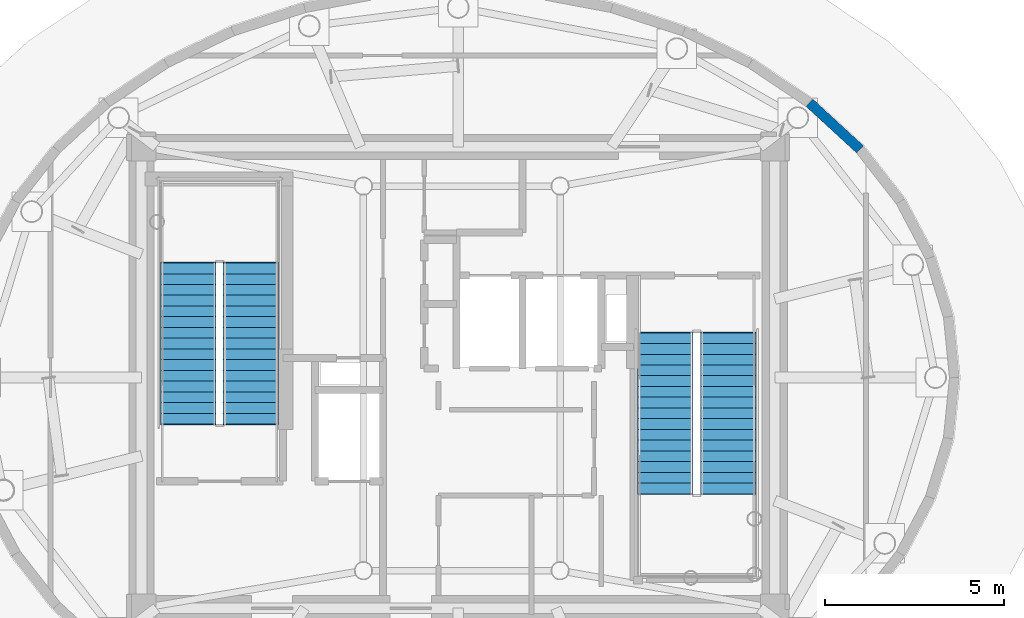
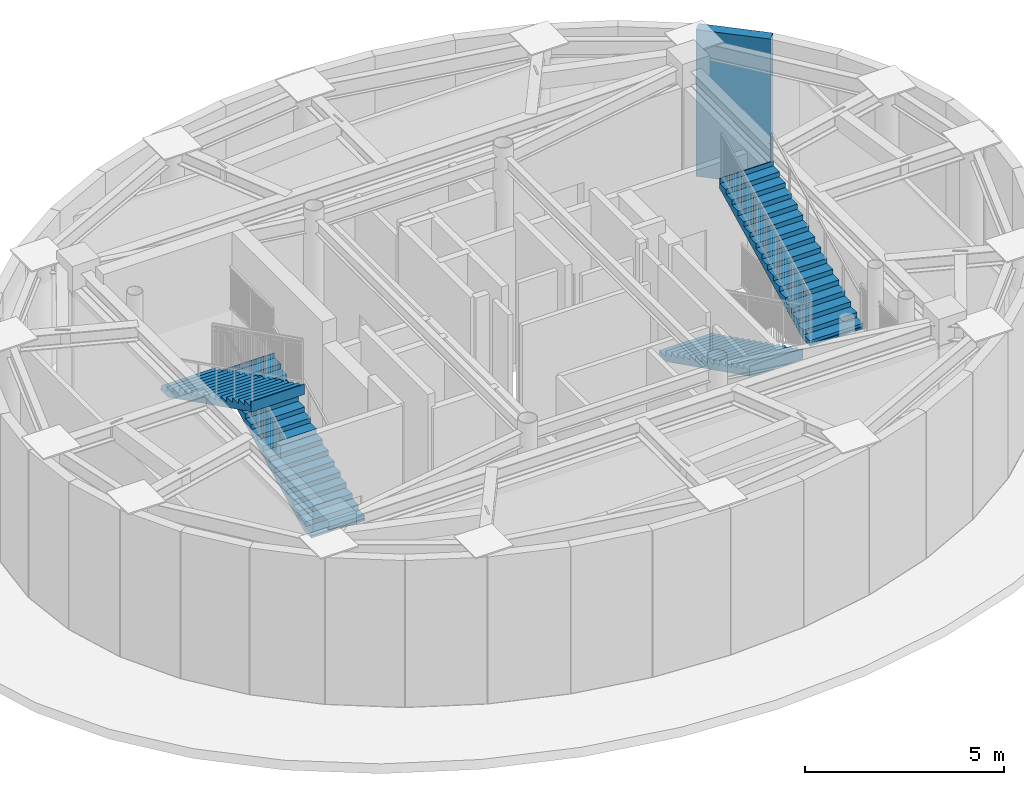
# One storey, part 5 of 12: 4 stair flights, 1 wall, 2 elements without a shape of their own.
"""IFC4 building model written with IfcOpenShell, lengths in metres."""

from ifc_helpers import new_model, si_unit, direction, frame, frame_2d, origin, place, context, subcontext, project, spatial, polyline, rectangle, outline, extrude, source, transform, mapped, material, layer, layer_set, type_object, element, aggregate, save


model = new_model("IFC4")

# Units and contexts
model_context = context("Model", 3, precision=1e-05, world=origin(), true_north=direction((0.0, 1.0)))
body_context = subcontext(model_context, "Body", "Model", "MODEL_VIEW")
ifc_project = project(units=[si_unit("LENGTHUNIT", "METRE"), si_unit("AREAUNIT", "SQUARE_METRE"), si_unit("VOLUMEUNIT", "CUBIC_METRE"), si_unit("PLANEANGLEUNIT", "RADIAN"), si_unit("MASSUNIT", "GRAM", prefix="KILO")], contexts=[model_context])

# Site, building, storey
site_placement = place(None, origin())
site = spatial("IfcSite", under=ifc_project, at=site_placement, CompositionType="ELEMENT")
building_placement = place(site_placement, origin())
building = spatial("IfcBuilding", under=site, at=building_placement, Name="Linh Dai School and Residence Tower", CompositionType="ELEMENT")
storey_placement = place(building_placement, frame((0.0, 0.0, 368.39990234375)))
storey = spatial("IfcBuildingStorey", under=building, at=storey_placement, Name="L91", CompositionType="ELEMENT", Elevation=368.39990234375)

# Wall
ifc_material = material(Name="Concrete B45 (C35/45)", Category="concrete")
ifc_layer = layer(ifc_material, 0.280029296875)
ifc_layer_set = layer_set([ifc_layer], Name="Concrete B45 (C35/45)")
wall_type = type_object("IfcWallType", Name="EW-DRM-280", PredefinedType="SOLIDWALL", material=ifc_layer_set)
wall_placement = place(storey_placement, frame((45.822265625, 34.679931640625, 0.0), z_axis=(0.0, 0.0, 1.0), x_axis=(0.735948763185, -0.677037235288, 0.0)))
element("IfcWall", 1, at=wall_placement, inside=storey, type_object=wall_type, Name="L91 Terracotta Exterior Wall 05", PredefinedType="SOLIDWALL", context=body_context, shape_type="SweptSolid", body=[
    extrude(rectangle(XDim=1.918701171875, YDim=0.280029296875, at=frame_2d((0.95947265625, 0.0))), origin(), (0.0, 0.0, 1.0), 4.5),
])

# Stair, stair flights
stair_type = type_object("IfcStairType", Name="ST-DOG-1550-R1500", PredefinedType="HALF_TURN_STAIR", material=ifc_material)
stair_1_placement = place(storey_placement, origin())
stair_1 = element("IfcStair", 2, at=stair_1_placement, inside=storey, type_object=stair_type, Name="L91 Core Smokeproof Exit Stair ST1", PredefinedType="HALF_TURN_STAIR")
stair_flight_type = type_object("IfcStairFlightType", Name="STF-STR-1550-R1500", PredefinedType="STRAIGHT", material=ifc_material)
shared_shape = source(origin(), body_context, "Body", "SweptSolid", [
    extrude(outline(polyline([(-0.02490234375, 0.0), (-0.02490234375, 0.06005859375), (0.0, 0.06005859375), (0.0, 0.14990234375), (0.300048828125, 0.14990234375), (0.300048828125, 0.300048828125), (0.60009765625, 0.300048828125), (0.60009765625, 0.449951171875), (0.89990234375, 0.449951171875), (0.89990234375, 0.60009765625), (1.199951171875, 0.60009765625), (1.199951171875, 0.75), (1.5, 0.75), (1.5, 0.89990234375), (1.800048828125, 0.89990234375), (1.800048828125, 1.050048828125), (2.10009765625, 1.050048828125), (2.10009765625, 1.199951171875), (2.39990234375, 1.199951171875), (2.39990234375, 1.35009765625), (2.699951171875, 1.35009765625), (2.699951171875, 1.5), (3.0, 1.5), (3.0, 1.64990234375), (3.300048828125, 1.64990234375), (3.300048828125, 1.800048828125), (3.60009765625, 1.800048828125), (3.60009765625, 1.949951171875), (3.89990234375, 1.949951171875), (3.89990234375, 2.10009765625), (4.199951171875, 2.10009765625), (4.199951171875, 2.25), (4.5, 2.25), (4.5, 2.39990234375), (4.52490234375, 2.39990234375), (4.52490234375, 2.08251953125), (4.5, 2.08251953125), (0.335205078125, 0.0), (-0.02490234375, 0.0)])), frame((0.0, 0.77490234375, 0.0), z_axis=(0.0, -1.0, 0.0), x_axis=(1.0, 0.0, 0.0)), (0.0, 0.0, 1.0), 1.550048828125),
])
stair_flight_1_placement = place(storey_placement, frame((30.205078125, 25.699951171875, 0.0), z_axis=(0.0, 0.0, 1.0), x_axis=(0.0, 1.0, 0.0)))
stair_flight_1 = element("IfcStairFlight", 3, at=stair_flight_1_placement, type_object=stair_flight_type, Name="ST1 flight 1", NumberOfRisers=16, NumberOfTreads=15, PredefinedType="STRAIGHT", RiserHeight=0.15, TreadLength=0.3, context=body_context, shape_type="MappedRepresentation", body=[
    mapped(shared_shape, transform((0.0, 0.0, 0.0), x_axis=(1.0, 0.0, 0.0), y_axis=(0.0, 1.0, 0.0), z_axis=(0.0, 0.0, 1.0), scale=1.0)),
])
stair_flight_2_placement = place(storey_placement, frame((28.455078125, 30.199951171875, 2.400146484375), z_axis=(0.0, 0.0, 1.0), x_axis=(0.0, -1.0, 0.0)))
stair_flight_2 = element("IfcStairFlight", 4, at=stair_flight_2_placement, type_object=stair_flight_type, Name="ST1 flight 2", NumberOfRisers=16, NumberOfTreads=15, PredefinedType="STRAIGHT", RiserHeight=0.15, TreadLength=0.3, context=body_context, shape_type="MappedRepresentation", body=[
    mapped(shared_shape, transform((0.0, 0.0, 0.0), x_axis=(1.0, 0.0, 0.0), y_axis=(0.0, 1.0, 0.0), z_axis=(0.0, 0.0, 1.0), scale=1.0)),
])
aggregate(stair_1, [stair_flight_1, stair_flight_2])

stair_2_placement = place(storey_placement, origin())
stair_2 = element("IfcStair", 5, at=stair_2_placement, inside=storey, type_object=stair_type, Name="L91 Core Smokeproof Exit Stair ST2", PredefinedType="HALF_TURN_STAIR")
stair_flight_3_placement = place(storey_placement, frame((41.794921875, 28.25, 0.0), z_axis=(0.0, 0.0, 1.0), x_axis=(0.0, -1.0, 0.0)))
stair_flight_3 = element("IfcStairFlight", 6, at=stair_flight_3_placement, type_object=stair_flight_type, Name="ST2 flight 1", NumberOfRisers=16, NumberOfTreads=15, PredefinedType="STRAIGHT", RiserHeight=0.15, TreadLength=0.3, context=body_context, shape_type="MappedRepresentation", body=[
    mapped(shared_shape, transform((0.0, 0.0, 0.0), x_axis=(1.0, 0.0, 0.0), y_axis=(0.0, 1.0, 0.0), z_axis=(0.0, 0.0, 1.0), scale=1.0)),
])
stair_flight_4_placement = place(storey_placement, frame((43.544921875, 23.75, 2.400146484375), z_axis=(0.0, 0.0, 1.0), x_axis=(0.0, 1.0, 0.0)))
stair_flight_4 = element("IfcStairFlight", 7, at=stair_flight_4_placement, type_object=stair_flight_type, Name="ST2 flight 2", NumberOfRisers=16, NumberOfTreads=15, PredefinedType="STRAIGHT", RiserHeight=0.15, TreadLength=0.3, context=body_context, shape_type="MappedRepresentation", body=[
    mapped(shared_shape, transform((0.0, 0.0, 0.0), x_axis=(1.0, 0.0, 0.0), y_axis=(0.0, 1.0, 0.0), z_axis=(0.0, 0.0, 1.0), scale=1.0)),
])
aggregate(stair_2, [stair_flight_3, stair_flight_4])

save(model, "model.ifc")
